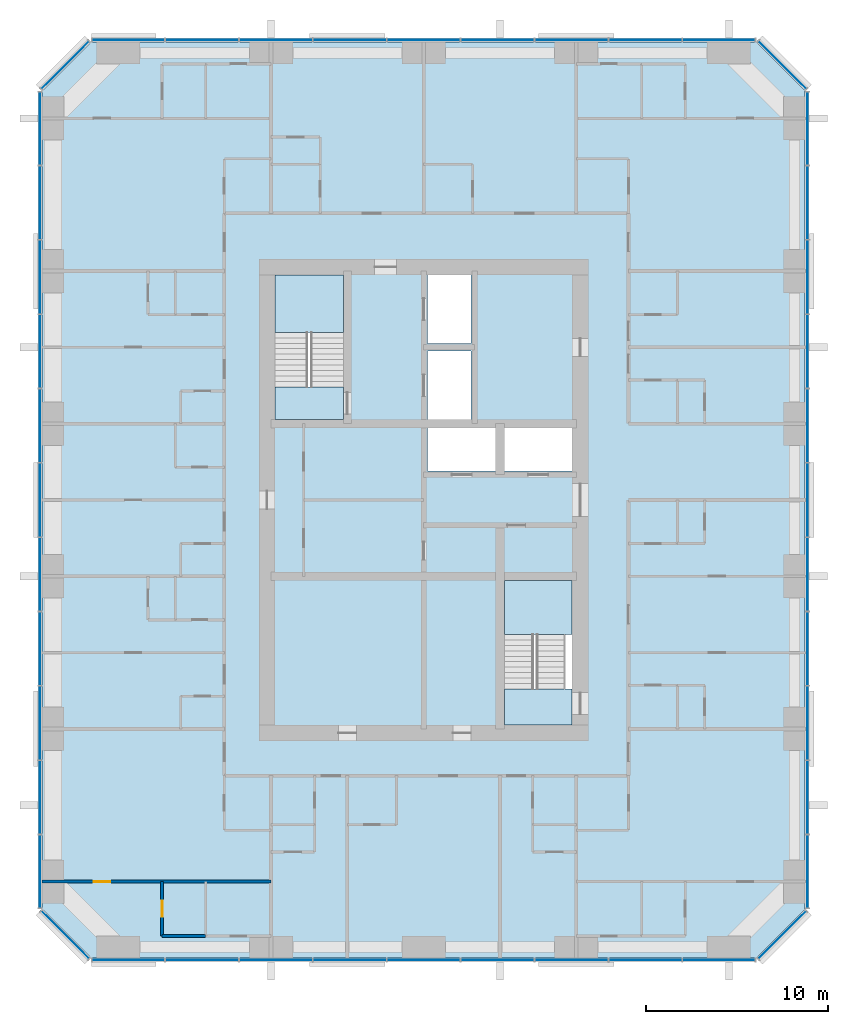
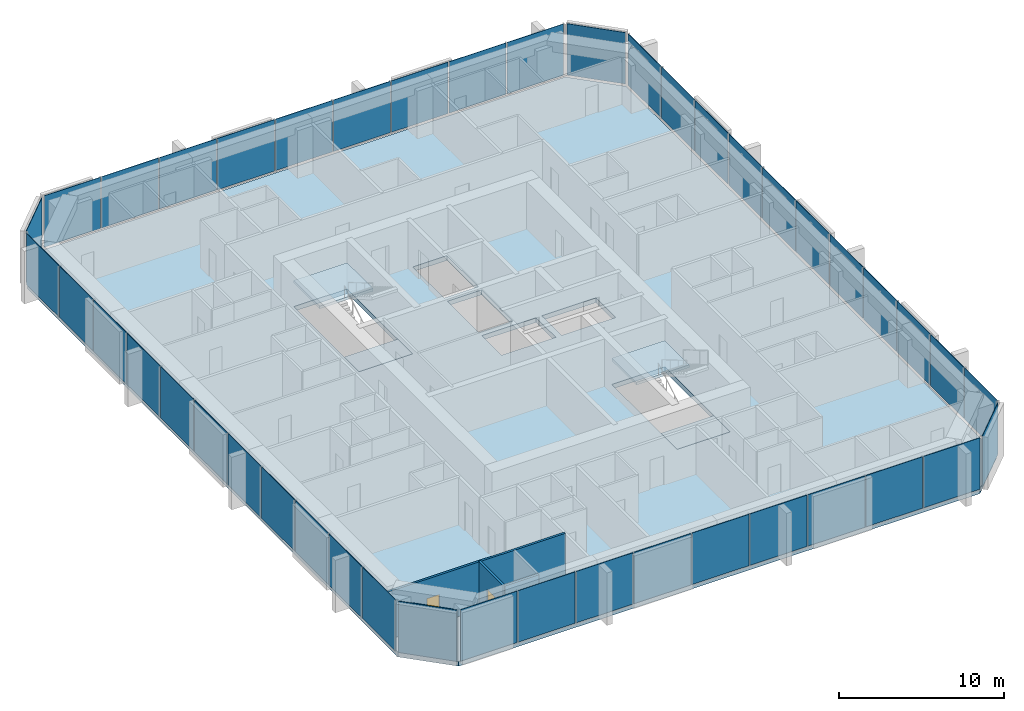
# One storey, part 6 of 12: 44 plates, 5 slabs, 3 walls, 2 doors, 2 openings, 10 elements without a shape of their own.
"""IFC4 building model written with IfcOpenShell, lengths in metres."""

from ifc_helpers import new_model, si_unit, direction, frame, frame_2d, origin, origin_2d, place, context, subcontext, project, spatial, polyline, rectangle, outline, extrude, material, layer, layer_set, type_object, element, fill, aggregate, save


model = new_model("IFC4")

# Units and contexts
model_context = context("Model", 3, precision=1e-05, world=origin(), true_north=direction((0.0, 1.0)))
body_context = subcontext(model_context, "Body", "Model", "MODEL_VIEW")
ifc_project = project(units=[si_unit("LENGTHUNIT", "METRE"), si_unit("AREAUNIT", "SQUARE_METRE"), si_unit("VOLUMEUNIT", "CUBIC_METRE"), si_unit("PLANEANGLEUNIT", "RADIAN"), si_unit("MASSUNIT", "GRAM", prefix="KILO")], contexts=[model_context])

# Site, building, storey
site_placement = place(None, origin())
site = spatial("IfcSite", under=ifc_project, at=site_placement, CompositionType="ELEMENT")
building_placement = place(site_placement, origin())
building = spatial("IfcBuilding", under=site, at=building_placement, Name="Dunama Terrace Hotel", CompositionType="ELEMENT")
storey_placement = place(building_placement, frame((0.0, 0.0, 233.39990234375)))
storey = spatial("IfcBuildingStorey", under=building, at=storey_placement, Name="L60", CompositionType="ELEMENT", Elevation=233.39990234375)

# Curtain wall, plates
ifc_material_1 = material(Name="Aluminium curtain wall system", Category="aluminium")
curtain_wall_type = type_object("IfcCurtainWallType", Name="Unitised fritted glass wall CW-D", PredefinedType="NOTDEFINED", material=ifc_material_1)
curtain_wall_1_placement = place(storey_placement, origin())
curtain_wall_1 = element("IfcCurtainWall", 1, at=curtain_wall_1_placement, inside=storey, type_object=curtain_wall_type, Name="Unitised fritted glass wall CW-D L60", PredefinedType="NOTDEFINED")
ifc_material_2 = material(Name="Laminated glass", Category="glass")
ifc_layer_1 = layer(ifc_material_2, 0.035888671875)
ifc_layer_set_1 = layer_set([ifc_layer_1], Name="CWD clear glass panel")
plate_type_1 = type_object("IfcPlateType", Name="CWD clear glass panel", PredefinedType="CURTAIN_PANEL", material=ifc_layer_set_1)
plate_1_placement = place(storey_placement, frame((21.39990234375, 4.080078125, 0.085205078125), z_axis=(0.0, 0.0, 1.0), x_axis=(1.0, 0.0, 0.0)))
plate_1 = element("IfcPlate", 2, at=plate_1_placement, type_object=plate_type_1, Name="CWD clear glass panel", PredefinedType="CURTAIN_PANEL", context=body_context, shape_type="SweptSolid", body=[
    extrude(rectangle(XDim=3.99658203125, YDim=0.035888671875, at=origin_2d()), origin(), (0.0, 0.0, 1.0), 3.81494140625),
])
plate_2_placement = place(storey_placement, frame((33.60009765625, 4.080078125, 0.085205078125), z_axis=(0.0, 0.0, 1.0), x_axis=(1.0, 0.0, 0.0)))
plate_2 = element("IfcPlate", 3, at=plate_2_placement, type_object=plate_type_1, Name="CWD clear glass panel", PredefinedType="CURTAIN_PANEL", context=body_context, shape_type="SweptSolid", body=[
    extrude(rectangle(XDim=3.99658203125, YDim=0.035888671875, at=origin_2d()), origin(), (0.0, 0.0, 1.0), 3.81494140625),
])
plate_3_placement = place(storey_placement, frame((45.800048828125, 4.080078125, 0.085205078125), z_axis=(0.0, 0.0, 1.0), x_axis=(1.0, 0.0, 0.0)))
plate_3 = element("IfcPlate", 4, at=plate_3_placement, type_object=plate_type_1, Name="CWD clear glass panel", PredefinedType="CURTAIN_PANEL", context=body_context, shape_type="SweptSolid", body=[
    extrude(rectangle(XDim=3.99658203125, YDim=0.035888671875, at=origin_2d()), origin(), (0.0, 0.0, 1.0), 3.81494140625),
])

curtain_wall_2_placement = place(storey_placement, origin())
curtain_wall_2 = element("IfcCurtainWall", 5, at=curtain_wall_2_placement, inside=storey, type_object=curtain_wall_type, Name="Unitised fritted glass wall CW-D L60", PredefinedType="NOTDEFINED")
plate_4_placement = place(storey_placement, frame((54.719970703125, 8.962890625, 0.085205078125), z_axis=(0.0, 0.0, 1.0), x_axis=(0.0, 1.0, 0.0)))
plate_4 = element("IfcPlate", 6, at=plate_4_placement, type_object=plate_type_1, Name="CWD clear glass panel", PredefinedType="CURTAIN_PANEL", context=body_context, shape_type="SweptSolid", body=[
    extrude(rectangle(XDim=3.98583984375, YDim=0.035888671875, at=origin_2d()), origin(), (0.0, 0.0, 1.0), 3.81494140625),
])
plate_5_placement = place(storey_placement, frame((54.719970703125, 21.218017578125, 0.085205078125), z_axis=(0.0, 0.0, 1.0), x_axis=(0.0, 1.0, 0.0)))
plate_5 = element("IfcPlate", 7, at=plate_5_placement, type_object=plate_type_1, Name="CWD clear glass panel", PredefinedType="CURTAIN_PANEL", context=body_context, shape_type="SweptSolid", body=[
    extrude(rectangle(XDim=4.02099609375, YDim=0.035888671875, at=origin_2d()), origin(), (0.0, 0.0, 1.0), 3.81494140625),
])
plate_6_placement = place(storey_placement, frame((54.719970703125, 33.490966796875, 0.085205078125), z_axis=(0.0, 0.0, 1.0), x_axis=(0.0, 1.0, 0.0)))
plate_6 = element("IfcPlate", 8, at=plate_6_placement, type_object=plate_type_1, Name="CWD clear glass panel", PredefinedType="CURTAIN_PANEL", context=body_context, shape_type="SweptSolid", body=[
    extrude(rectangle(XDim=4.02099609375, YDim=0.035888671875, at=origin_2d()), origin(), (0.0, 0.0, 1.0), 3.81494140625),
])
plate_7_placement = place(storey_placement, frame((54.719970703125, 45.763916015625, 0.085205078125), z_axis=(0.0, 0.0, 1.0), x_axis=(0.0, 1.0, 0.0)))
plate_7 = element("IfcPlate", 9, at=plate_7_placement, type_object=plate_type_1, Name="CWD clear glass panel", PredefinedType="CURTAIN_PANEL", context=body_context, shape_type="SweptSolid", body=[
    extrude(rectangle(XDim=4.02099609375, YDim=0.035888671875, at=origin_2d()), origin(), (0.0, 0.0, 1.0), 3.81494140625),
])

curtain_wall_3_placement = place(storey_placement, origin())
curtain_wall_3 = element("IfcCurtainWall", 10, at=curtain_wall_3_placement, inside=storey, type_object=curtain_wall_type, Name="Unitised fritted glass wall CW-D L60", PredefinedType="NOTDEFINED")
plate_8_placement = place(storey_placement, frame((49.84912109375, 54.719970703125, 0.085205078125), z_axis=(0.0, 0.0, 1.0), x_axis=(-1.0, 0.0, 0.0)))
plate_8 = element("IfcPlate", 11, at=plate_8_placement, type_object=plate_type_1, Name="CWD clear glass panel", PredefinedType="CURTAIN_PANEL", context=body_context, shape_type="SweptSolid", body=[
    extrude(rectangle(XDim=3.961669921875, YDim=0.035888671875, at=origin_2d()), origin(), (0.0, 0.0, 1.0), 3.81494140625),
])
plate_9_placement = place(storey_placement, frame((37.6669921875, 54.719970703125, 0.085205078125), z_axis=(0.0, 0.0, 1.0), x_axis=(-1.0, 0.0, 0.0)))
plate_9 = element("IfcPlate", 12, at=plate_9_placement, type_object=plate_type_1, Name="CWD clear glass panel", PredefinedType="CURTAIN_PANEL", context=body_context, shape_type="SweptSolid", body=[
    extrude(rectangle(XDim=3.99658203125, YDim=0.035888671875, at=origin_2d()), origin(), (0.0, 0.0, 1.0), 3.81494140625),
])
plate_10_placement = place(storey_placement, frame((25.467041015625, 54.719970703125, 0.085205078125), z_axis=(0.0, 0.0, 1.0), x_axis=(-1.0, 0.0, 0.0)))
plate_10 = element("IfcPlate", 13, at=plate_10_placement, type_object=plate_type_1, Name="CWD clear glass panel", PredefinedType="CURTAIN_PANEL", context=body_context, shape_type="SweptSolid", body=[
    extrude(rectangle(XDim=3.99658203125, YDim=0.035888671875, at=origin_2d()), origin(), (0.0, 0.0, 1.0), 3.81494140625),
])

# Curtain wall, plate
curtain_wall_4_placement = place(storey_placement, origin())
curtain_wall_4 = element("IfcCurtainWall", 14, at=curtain_wall_4_placement, inside=storey, type_object=curtain_wall_type, Name="Unitised fritted glass wall CW-D L60", PredefinedType="NOTDEFINED")
plate_11_placement = place(storey_placement, frame((13.864990234375, 53.3349609375, 0.085205078125), z_axis=(0.0, 0.0, 1.0), x_axis=(-0.707106781187, -0.707106781187, 0.0)))
plate_11 = element("IfcPlate", 15, at=plate_11_placement, type_object=plate_type_1, Name="CWD clear glass panel", PredefinedType="CURTAIN_PANEL", context=body_context, shape_type="SweptSolid", body=[
    extrude(rectangle(XDim=3.678466796875, YDim=0.035888671875, at=origin_2d()), origin(), (0.0, 0.0, 1.0), 3.81494140625),
])
aggregate(curtain_wall_4, [plate_11])

# Curtain wall, plates
curtain_wall_5_placement = place(storey_placement, origin())
curtain_wall_5 = element("IfcCurtainWall", 16, at=curtain_wall_5_placement, inside=storey, type_object=curtain_wall_type, Name="Unitised fritted glass wall CW-D L60", PredefinedType="NOTDEFINED")
plate_12_placement = place(storey_placement, frame((12.47998046875, 41.673095703125, 0.085205078125), z_axis=(0.0, 0.0, 1.0), x_axis=(0.0, -1.0, 0.0)))
plate_12 = element("IfcPlate", 17, at=plate_12_placement, type_object=plate_type_1, Name="CWD clear glass panel", PredefinedType="CURTAIN_PANEL", context=body_context, shape_type="SweptSolid", body=[
    extrude(rectangle(XDim=4.02099609375, YDim=0.035888671875, at=origin_2d()), origin(), (0.0, 0.0, 1.0), 3.81494140625),
])
plate_13_placement = place(storey_placement, frame((12.47998046875, 29.39990234375, 0.085205078125), z_axis=(0.0, 0.0, 1.0), x_axis=(0.0, -1.0, 0.0)))
plate_13 = element("IfcPlate", 18, at=plate_13_placement, type_object=plate_type_1, Name="CWD clear glass panel", PredefinedType="CURTAIN_PANEL", context=body_context, shape_type="SweptSolid", body=[
    extrude(rectangle(XDim=4.02099609375, YDim=0.035888671875, at=origin_2d()), origin(), (0.0, 0.0, 1.0), 3.81494140625),
])
plate_14_placement = place(storey_placement, frame((12.47998046875, 17.126953125, 0.085205078125), z_axis=(0.0, 0.0, 1.0), x_axis=(0.0, -1.0, 0.0)))
plate_14 = element("IfcPlate", 19, at=plate_14_placement, type_object=plate_type_1, Name="CWD clear glass panel", PredefinedType="CURTAIN_PANEL", context=body_context, shape_type="SweptSolid", body=[
    extrude(rectangle(XDim=4.02099609375, YDim=0.035888671875, at=origin_2d()), origin(), (0.0, 0.0, 1.0), 3.81494140625),
])

# Curtain wall, plate
curtain_wall_6_placement = place(storey_placement, origin())
curtain_wall_6 = element("IfcCurtainWall", 20, at=curtain_wall_6_placement, inside=storey, type_object=curtain_wall_type, Name="Unitised fritted glass wall CW-D L60", PredefinedType="NOTDEFINED")
plate_15_placement = place(storey_placement, frame((13.864990234375, 5.465087890625, 0.085205078125), z_axis=(0.0, 0.0, 1.0), x_axis=(0.707106781187, -0.707106781187, 0.0)))
plate_15 = element("IfcPlate", 21, at=plate_15_placement, type_object=plate_type_1, Name="CWD clear glass panel", PredefinedType="CURTAIN_PANEL", context=body_context, shape_type="SweptSolid", body=[
    extrude(rectangle(XDim=3.678466796875, YDim=0.035888671875, at=origin_2d()), origin(), (0.0, 0.0, 1.0), 3.81494140625),
])
aggregate(curtain_wall_6, [plate_15])

# Plate
ifc_material_3 = material(Name="Fritted laminated glass", Category="glass")
ifc_layer_2 = layer(ifc_material_3, 0.035888671875)
ifc_layer_set_2 = layer_set([ifc_layer_2], Name="CWD fritted glass panel")
plate_type_2 = type_object("IfcPlateType", Name="CWD fritted glass panel", PredefinedType="CURTAIN_PANEL", material=ifc_layer_set_2)
plate_16_placement = place(storey_placement, frame((17.35107421875, 4.080078125, 0.085205078125), z_axis=(0.0, 0.0, 1.0), x_axis=(1.0, 0.0, 0.0)))
plate_16 = element("IfcPlate", 22, at=plate_16_placement, type_object=plate_type_2, Name="CWD fritted glass panel", PredefinedType="CURTAIN_PANEL", context=body_context, shape_type="SweptSolid", body=[
    extrude(rectangle(XDim=3.961669921875, YDim=0.035888671875, at=origin_2d()), origin(), (0.0, 0.0, 1.0), 3.81494140625),
])

plate_17_placement = place(storey_placement, frame((29.532958984375, 4.080078125, 0.085205078125), z_axis=(0.0, 0.0, 1.0), x_axis=(1.0, 0.0, 0.0)))
plate_17 = element("IfcPlate", 23, at=plate_17_placement, type_object=plate_type_2, Name="CWD fritted glass panel", PredefinedType="CURTAIN_PANEL", context=body_context, shape_type="SweptSolid", body=[
    extrude(rectangle(XDim=3.99658203125, YDim=0.035888671875, at=origin_2d()), origin(), (0.0, 0.0, 1.0), 3.81494140625),
])

plate_18_placement = place(storey_placement, frame((41.73291015625, 4.080078125, 0.085205078125), z_axis=(0.0, 0.0, 1.0), x_axis=(1.0, 0.0, 0.0)))
plate_18 = element("IfcPlate", 24, at=plate_18_placement, type_object=plate_type_2, Name="CWD fritted glass panel", PredefinedType="CURTAIN_PANEL", context=body_context, shape_type="SweptSolid", body=[
    extrude(rectangle(XDim=3.99658203125, YDim=0.035888671875, at=origin_2d()), origin(), (0.0, 0.0, 1.0), 3.81494140625),
])

# Curtain wall, plate
curtain_wall_7_placement = place(storey_placement, origin())
curtain_wall_7 = element("IfcCurtainWall", 25, at=curtain_wall_7_placement, inside=storey, type_object=curtain_wall_type, Name="Unitised fritted glass wall CW-D L60", PredefinedType="NOTDEFINED")
plate_19_placement = place(storey_placement, frame((53.3349609375, 5.465087890625, 0.085205078125), z_axis=(0.0, 0.0, 1.0), x_axis=(0.707106781187, 0.707106781187, 0.0)))
plate_19 = element("IfcPlate", 26, at=plate_19_placement, type_object=plate_type_2, Name="CWD fritted glass panel", PredefinedType="CURTAIN_PANEL", context=body_context, shape_type="SweptSolid", body=[
    extrude(rectangle(XDim=3.678466796875, YDim=0.035888671875, at=origin_2d()), origin(), (0.0, 0.0, 1.0), 3.81494140625),
])
aggregate(curtain_wall_7, [plate_19])

# Plate
plate_20_placement = place(storey_placement, frame((54.719970703125, 17.126953125, 0.085205078125), z_axis=(0.0, 0.0, 1.0), x_axis=(0.0, 1.0, 0.0)))
plate_20 = element("IfcPlate", 27, at=plate_20_placement, type_object=plate_type_2, Name="CWD fritted glass panel", PredefinedType="CURTAIN_PANEL", context=body_context, shape_type="SweptSolid", body=[
    extrude(rectangle(XDim=4.02099609375, YDim=0.035888671875, at=origin_2d()), origin(), (0.0, 0.0, 1.0), 3.81494140625),
])

plate_21_placement = place(storey_placement, frame((54.719970703125, 29.39990234375, 0.085205078125), z_axis=(0.0, 0.0, 1.0), x_axis=(0.0, 1.0, 0.0)))
plate_21 = element("IfcPlate", 28, at=plate_21_placement, type_object=plate_type_2, Name="CWD fritted glass panel", PredefinedType="CURTAIN_PANEL", context=body_context, shape_type="SweptSolid", body=[
    extrude(rectangle(XDim=4.02099609375, YDim=0.035888671875, at=origin_2d()), origin(), (0.0, 0.0, 1.0), 3.81494140625),
])

plate_22_placement = place(storey_placement, frame((54.719970703125, 41.673095703125, 0.085205078125), z_axis=(0.0, 0.0, 1.0), x_axis=(0.0, 1.0, 0.0)))
plate_22 = element("IfcPlate", 29, at=plate_22_placement, type_object=plate_type_2, Name="CWD fritted glass panel", PredefinedType="CURTAIN_PANEL", context=body_context, shape_type="SweptSolid", body=[
    extrude(rectangle(XDim=4.02099609375, YDim=0.035888671875, at=origin_2d()), origin(), (0.0, 0.0, 1.0), 3.81494140625),
])

# Curtain wall, plate
curtain_wall_8_placement = place(storey_placement, origin())
curtain_wall_8 = element("IfcCurtainWall", 30, at=curtain_wall_8_placement, inside=storey, type_object=curtain_wall_type, Name="Unitised fritted glass wall CW-D L60", PredefinedType="NOTDEFINED")
plate_23_placement = place(storey_placement, frame((53.3349609375, 53.3349609375, 0.085205078125), z_axis=(0.0, 0.0, 1.0), x_axis=(-0.707106781187, 0.707106781187, 0.0)))
plate_23 = element("IfcPlate", 31, at=plate_23_placement, type_object=plate_type_2, Name="CWD fritted glass panel", PredefinedType="CURTAIN_PANEL", context=body_context, shape_type="SweptSolid", body=[
    extrude(rectangle(XDim=3.678466796875, YDim=0.035888671875, at=origin_2d()), origin(), (0.0, 0.0, 1.0), 3.81494140625),
])
aggregate(curtain_wall_8, [plate_23])

# Plate
plate_24_placement = place(storey_placement, frame((41.73291015625, 54.719970703125, 0.085205078125), z_axis=(0.0, 0.0, 1.0), x_axis=(-1.0, 0.0, 0.0)))
plate_24 = element("IfcPlate", 32, at=plate_24_placement, type_object=plate_type_2, Name="CWD fritted glass panel", PredefinedType="CURTAIN_PANEL", context=body_context, shape_type="SweptSolid", body=[
    extrude(rectangle(XDim=3.99658203125, YDim=0.035888671875, at=origin_2d()), origin(), (0.0, 0.0, 1.0), 3.81494140625),
])

plate_25_placement = place(storey_placement, frame((29.532958984375, 54.719970703125, 0.085205078125), z_axis=(0.0, 0.0, 1.0), x_axis=(-1.0, 0.0, 0.0)))
plate_25 = element("IfcPlate", 33, at=plate_25_placement, type_object=plate_type_2, Name="CWD fritted glass panel", PredefinedType="CURTAIN_PANEL", context=body_context, shape_type="SweptSolid", body=[
    extrude(rectangle(XDim=3.99658203125, YDim=0.035888671875, at=origin_2d()), origin(), (0.0, 0.0, 1.0), 3.81494140625),
])

plate_26_placement = place(storey_placement, frame((17.35107421875, 54.719970703125, 0.085205078125), z_axis=(0.0, 0.0, 1.0), x_axis=(-1.0, 0.0, 0.0)))
plate_26 = element("IfcPlate", 34, at=plate_26_placement, type_object=plate_type_2, Name="CWD fritted glass panel", PredefinedType="CURTAIN_PANEL", context=body_context, shape_type="SweptSolid", body=[
    extrude(rectangle(XDim=3.961669921875, YDim=0.035888671875, at=origin_2d()), origin(), (0.0, 0.0, 1.0), 3.81494140625),
])

plate_27_placement = place(storey_placement, frame((12.47998046875, 45.763916015625, 0.085205078125), z_axis=(0.0, 0.0, 1.0), x_axis=(0.0, -1.0, 0.0)))
plate_27 = element("IfcPlate", 35, at=plate_27_placement, type_object=plate_type_2, Name="CWD fritted glass panel", PredefinedType="CURTAIN_PANEL", context=body_context, shape_type="SweptSolid", body=[
    extrude(rectangle(XDim=4.02099609375, YDim=0.035888671875, at=origin_2d()), origin(), (0.0, 0.0, 1.0), 3.81494140625),
])

plate_28_placement = place(storey_placement, frame((12.47998046875, 33.490966796875, 0.085205078125), z_axis=(0.0, 0.0, 1.0), x_axis=(0.0, -1.0, 0.0)))
plate_28 = element("IfcPlate", 36, at=plate_28_placement, type_object=plate_type_2, Name="CWD fritted glass panel", PredefinedType="CURTAIN_PANEL", context=body_context, shape_type="SweptSolid", body=[
    extrude(rectangle(XDim=4.02099609375, YDim=0.035888671875, at=origin_2d()), origin(), (0.0, 0.0, 1.0), 3.81494140625),
])

plate_29_placement = place(storey_placement, frame((12.47998046875, 21.218017578125, 0.085205078125), z_axis=(0.0, 0.0, 1.0), x_axis=(0.0, -1.0, 0.0)))
plate_29 = element("IfcPlate", 37, at=plate_29_placement, type_object=plate_type_2, Name="CWD fritted glass panel", PredefinedType="CURTAIN_PANEL", context=body_context, shape_type="SweptSolid", body=[
    extrude(rectangle(XDim=4.02099609375, YDim=0.035888671875, at=origin_2d()), origin(), (0.0, 0.0, 1.0), 3.81494140625),
])

plate_30_placement = place(storey_placement, frame((12.47998046875, 8.962890625, 0.085205078125), z_axis=(0.0, 0.0, 1.0), x_axis=(0.0, -1.0, 0.0)))
plate_30 = element("IfcPlate", 38, at=plate_30_placement, type_object=plate_type_2, Name="CWD fritted glass panel", PredefinedType="CURTAIN_PANEL", context=body_context, shape_type="SweptSolid", body=[
    extrude(rectangle(XDim=3.98583984375, YDim=0.035888671875, at=origin_2d()), origin(), (0.0, 0.0, 1.0), 3.81494140625),
])

ifc_material_4 = material(Name="Laminated glass", Category="glass")
ifc_layer_3 = layer(ifc_material_4, 0.035888671875)
ifc_layer_set_3 = layer_set([ifc_layer_3], Name="CWD operable glass panel")
plate_type_3 = type_object("IfcPlateType", Name="CWD operable glass panel", PredefinedType="CURTAIN_PANEL", material=ifc_layer_set_3)
plate_31_placement = place(storey_placement, frame((25.467041015625, 4.080078125, 0.085205078125), z_axis=(0.0, 0.0, 1.0), x_axis=(1.0, 0.0, 0.0)))
plate_31 = element("IfcPlate", 39, at=plate_31_placement, type_object=plate_type_3, Name="CWD operable glass panel", PredefinedType="CURTAIN_PANEL", context=body_context, shape_type="SweptSolid", body=[
    extrude(rectangle(XDim=3.99658203125, YDim=0.035888671875, at=origin_2d()), origin(), (0.0, 0.0, 1.0), 3.81494140625),
])

plate_32_placement = place(storey_placement, frame((37.6669921875, 4.080078125, 0.085205078125), z_axis=(0.0, 0.0, 1.0), x_axis=(1.0, 0.0, 0.0)))
plate_32 = element("IfcPlate", 40, at=plate_32_placement, type_object=plate_type_3, Name="CWD operable glass panel", PredefinedType="CURTAIN_PANEL", context=body_context, shape_type="SweptSolid", body=[
    extrude(rectangle(XDim=3.99658203125, YDim=0.035888671875, at=origin_2d()), origin(), (0.0, 0.0, 1.0), 3.81494140625),
])

plate_33_placement = place(storey_placement, frame((49.84912109375, 4.080078125, 0.085205078125), z_axis=(0.0, 0.0, 1.0), x_axis=(1.0, 0.0, 0.0)))
plate_33 = element("IfcPlate", 41, at=plate_33_placement, type_object=plate_type_3, Name="CWD operable glass panel", PredefinedType="CURTAIN_PANEL", context=body_context, shape_type="SweptSolid", body=[
    extrude(rectangle(XDim=3.961669921875, YDim=0.035888671875, at=origin_2d()), origin(), (0.0, 0.0, 1.0), 3.81494140625),
])

aggregate(curtain_wall_1, [plate_16, plate_1, plate_31, plate_17, plate_2, plate_32, plate_18, plate_3, plate_33])

plate_34_placement = place(storey_placement, frame((54.719970703125, 13.035888671875, 0.085205078125), z_axis=(0.0, 0.0, 1.0), x_axis=(0.0, 1.0, 0.0)))
plate_34 = element("IfcPlate", 42, at=plate_34_placement, type_object=plate_type_3, Name="CWD operable glass panel", PredefinedType="CURTAIN_PANEL", context=body_context, shape_type="SweptSolid", body=[
    extrude(rectangle(XDim=4.02099609375, YDim=0.035888671875, at=origin_2d()), origin(), (0.0, 0.0, 1.0), 3.81494140625),
])

plate_35_placement = place(storey_placement, frame((54.719970703125, 25.30908203125, 0.085205078125), z_axis=(0.0, 0.0, 1.0), x_axis=(0.0, 1.0, 0.0)))
plate_35 = element("IfcPlate", 43, at=plate_35_placement, type_object=plate_type_3, Name="CWD operable glass panel", PredefinedType="CURTAIN_PANEL", context=body_context, shape_type="SweptSolid", body=[
    extrude(rectangle(XDim=4.02099609375, YDim=0.035888671875, at=origin_2d()), origin(), (0.0, 0.0, 1.0), 3.81494140625),
])

plate_36_placement = place(storey_placement, frame((54.719970703125, 37.58203125, 0.085205078125), z_axis=(0.0, 0.0, 1.0), x_axis=(0.0, 1.0, 0.0)))
plate_36 = element("IfcPlate", 44, at=plate_36_placement, type_object=plate_type_3, Name="CWD operable glass panel", PredefinedType="CURTAIN_PANEL", context=body_context, shape_type="SweptSolid", body=[
    extrude(rectangle(XDim=4.02099609375, YDim=0.035888671875, at=origin_2d()), origin(), (0.0, 0.0, 1.0), 3.81494140625),
])

plate_37_placement = place(storey_placement, frame((54.719970703125, 49.8369140625, 0.085205078125), z_axis=(0.0, 0.0, 1.0), x_axis=(0.0, 1.0, 0.0)))
plate_37 = element("IfcPlate", 45, at=plate_37_placement, type_object=plate_type_3, Name="CWD operable glass panel", PredefinedType="CURTAIN_PANEL", context=body_context, shape_type="SweptSolid", body=[
    extrude(rectangle(XDim=3.98583984375, YDim=0.035888671875, at=origin_2d()), origin(), (0.0, 0.0, 1.0), 3.81494140625),
])

aggregate(curtain_wall_2, [plate_4, plate_34, plate_20, plate_5, plate_35, plate_21, plate_6, plate_36, plate_22, plate_7, plate_37])

plate_38_placement = place(storey_placement, frame((45.800048828125, 54.719970703125, 0.085205078125), z_axis=(0.0, 0.0, 1.0), x_axis=(-1.0, 0.0, 0.0)))
plate_38 = element("IfcPlate", 46, at=plate_38_placement, type_object=plate_type_3, Name="CWD operable glass panel", PredefinedType="CURTAIN_PANEL", context=body_context, shape_type="SweptSolid", body=[
    extrude(rectangle(XDim=3.99658203125, YDim=0.035888671875, at=origin_2d()), origin(), (0.0, 0.0, 1.0), 3.81494140625),
])

plate_39_placement = place(storey_placement, frame((33.60009765625, 54.719970703125, 0.085205078125), z_axis=(0.0, 0.0, 1.0), x_axis=(-1.0, 0.0, 0.0)))
plate_39 = element("IfcPlate", 47, at=plate_39_placement, type_object=plate_type_3, Name="CWD operable glass panel", PredefinedType="CURTAIN_PANEL", context=body_context, shape_type="SweptSolid", body=[
    extrude(rectangle(XDim=3.99658203125, YDim=0.035888671875, at=origin_2d()), origin(), (0.0, 0.0, 1.0), 3.81494140625),
])

plate_40_placement = place(storey_placement, frame((21.39990234375, 54.719970703125, 0.085205078125), z_axis=(0.0, 0.0, 1.0), x_axis=(-1.0, 0.0, 0.0)))
plate_40 = element("IfcPlate", 48, at=plate_40_placement, type_object=plate_type_3, Name="CWD operable glass panel", PredefinedType="CURTAIN_PANEL", context=body_context, shape_type="SweptSolid", body=[
    extrude(rectangle(XDim=3.99658203125, YDim=0.035888671875, at=origin_2d()), origin(), (0.0, 0.0, 1.0), 3.81494140625),
])

aggregate(curtain_wall_3, [plate_8, plate_38, plate_24, plate_9, plate_39, plate_25, plate_10, plate_40, plate_26])

plate_41_placement = place(storey_placement, frame((12.47998046875, 49.8369140625, 0.085205078125), z_axis=(0.0, 0.0, 1.0), x_axis=(0.0, -1.0, 0.0)))
plate_41 = element("IfcPlate", 49, at=plate_41_placement, type_object=plate_type_3, Name="CWD operable glass panel", PredefinedType="CURTAIN_PANEL", context=body_context, shape_type="SweptSolid", body=[
    extrude(rectangle(XDim=3.98583984375, YDim=0.035888671875, at=origin_2d()), origin(), (0.0, 0.0, 1.0), 3.81494140625),
])

plate_42_placement = place(storey_placement, frame((12.47998046875, 37.58203125, 0.085205078125), z_axis=(0.0, 0.0, 1.0), x_axis=(0.0, -1.0, 0.0)))
plate_42 = element("IfcPlate", 50, at=plate_42_placement, type_object=plate_type_3, Name="CWD operable glass panel", PredefinedType="CURTAIN_PANEL", context=body_context, shape_type="SweptSolid", body=[
    extrude(rectangle(XDim=4.02099609375, YDim=0.035888671875, at=origin_2d()), origin(), (0.0, 0.0, 1.0), 3.81494140625),
])

plate_43_placement = place(storey_placement, frame((12.47998046875, 25.30908203125, 0.085205078125), z_axis=(0.0, 0.0, 1.0), x_axis=(0.0, -1.0, 0.0)))
plate_43 = element("IfcPlate", 51, at=plate_43_placement, type_object=plate_type_3, Name="CWD operable glass panel", PredefinedType="CURTAIN_PANEL", context=body_context, shape_type="SweptSolid", body=[
    extrude(rectangle(XDim=4.02099609375, YDim=0.035888671875, at=origin_2d()), origin(), (0.0, 0.0, 1.0), 3.81494140625),
])

plate_44_placement = place(storey_placement, frame((12.47998046875, 13.035888671875, 0.085205078125), z_axis=(0.0, 0.0, 1.0), x_axis=(0.0, -1.0, 0.0)))
plate_44 = element("IfcPlate", 52, at=plate_44_placement, type_object=plate_type_3, Name="CWD operable glass panel", PredefinedType="CURTAIN_PANEL", context=body_context, shape_type="SweptSolid", body=[
    extrude(rectangle(XDim=4.02099609375, YDim=0.035888671875, at=origin_2d()), origin(), (0.0, 0.0, 1.0), 3.81494140625),
])

aggregate(curtain_wall_5, [plate_41, plate_27, plate_12, plate_42, plate_28, plate_13, plate_43, plate_29, plate_14, plate_44, plate_30])

# Slab
ifc_material_5 = material(Name="Concrete C40/50", Category="concrete")
ifc_layer_4 = layer(ifc_material_5, 0.35009765625)
ifc_layer_set_4 = layer_set([ifc_layer_4], Name="Flat plate 350")
slab_type_1 = type_object("IfcSlabType", Name="Flat plate 350", PredefinedType="FLOOR", material=ifc_layer_set_4)
slab_1_placement = place(storey_placement, frame((0.0, 0.0, -0.349853515625)))
element("IfcSlab", 53, at=slab_1_placement, inside=storey, type_object=slab_type_1, Name="Floor slab L60", PredefinedType="FLOOR", context=body_context, shape_type="SweptSolid", body=[
    extrude(outline(polyline([(15.300048828125, 4.199951171875), (51.89990234375, 4.199951171875), (54.60009765625, 6.89990234375), (54.60009765625, 51.89990234375), (51.89990234375, 54.60009765625), (15.300048828125, 54.60009765625), (12.60009765625, 51.89990234375), (12.60009765625, 6.89990234375), (15.300048828125, 4.199951171875)]), holes=[polyline([(37.60009765625, 31.0), (37.60009765625, 33.39990234375), (33.800048828125, 33.39990234375), (33.800048828125, 31.0), (37.60009765625, 31.0)]), polyline([(41.800048828125, 31.0), (41.800048828125, 33.39990234375), (38.0, 33.39990234375), (38.0, 31.0), (41.800048828125, 31.0)]), polyline([(36.199951171875, 38.0), (36.199951171875, 41.800048828125), (33.800048828125, 41.800048828125), (33.800048828125, 38.0), (36.199951171875, 38.0)]), polyline([(36.199951171875, 33.800048828125), (36.199951171875, 37.60009765625), (33.800048828125, 37.60009765625), (33.800048828125, 33.800048828125), (36.199951171875, 33.800048828125)]), polyline([(29.175048828125, 33.824951171875), (29.175048828125, 41.77490234375), (25.425048828125, 41.77490234375), (25.425048828125, 33.824951171875), (29.175048828125, 33.824951171875)]), polyline([(41.77490234375, 17.02490234375), (41.77490234375, 24.97509765625), (38.050048828125, 24.97509765625), (38.050048828125, 17.02490234375), (41.77490234375, 17.02490234375)])]), origin(), (0.0, 0.0, 1.0), 0.349853515625),
])

# Stair, slabs
ifc_material_6 = material(Name="Concrete C40/50", Category="concrete")
stair_type_1 = type_object("IfcStairType", Name="Stair ST1-3900-1800", PredefinedType="HALF_TURN_STAIR", material=ifc_material_6)
stair_1_placement = place(storey_placement, origin())
stair_1 = element("IfcStair", 54, at=stair_1_placement, inside=storey, type_object=stair_type_1, Name="Stair ST1 L60", PredefinedType="HALF_TURN_STAIR")
ifc_material_7 = material(Name="Concrete C40/50", Category="concrete")
ifc_layer_5 = layer(ifc_material_7, 0.199951171875)
ifc_layer_set_5 = layer_set([ifc_layer_5], Name="Stair landing 200")
slab_type_2 = type_object("IfcSlabType", Name="Stair landing 200", PredefinedType="LANDING", material=ifc_layer_set_5)
slab_2_placement = place(storey_placement, frame((0.0, 0.0, -0.199951171875)))
slab_2 = element("IfcSlab", 55, at=slab_2_placement, type_object=slab_type_2, Name="ST1 landing 1, type S10", PredefinedType="LANDING", context=body_context, shape_type="SweptSolid", body=[
    extrude(outline(polyline([(25.425048828125, 33.824951171875), (29.175048828125, 33.824951171875), (29.175048828125, 35.625), (25.425048828125, 35.625), (25.425048828125, 33.824951171875)])), origin(), (0.0, 0.0, 1.0), 0.199951171875),
])
slab_3_placement = place(storey_placement, frame((0.0, 0.0, 1.75)))
slab_3 = element("IfcSlab", 56, at=slab_3_placement, type_object=slab_type_2, Name="ST1 landing 2, type S10", PredefinedType="LANDING", context=body_context, shape_type="SweptSolid", body=[
    extrude(outline(polyline([(25.425048828125, 38.625), (29.175048828125, 38.625), (29.175048828125, 41.77490234375), (25.425048828125, 41.77490234375), (25.425048828125, 38.625)])), origin(), (0.0, 0.0, 1.0), 0.2001953125),
])
aggregate(stair_1, [slab_2, slab_3])

ifc_material_8 = material(Name="Concrete C40/50", Category="concrete")
stair_type_2 = type_object("IfcStairType", Name="Stair ST2-3900-1600", PredefinedType="HALF_TURN_STAIR", material=ifc_material_8)
stair_2_placement = place(storey_placement, origin())
stair_2 = element("IfcStair", 57, at=stair_2_placement, inside=storey, type_object=stair_type_2, Name="Stair ST2 L60", PredefinedType="HALF_TURN_STAIR")
slab_4_placement = place(storey_placement, frame((0.0, 0.0, -0.199951171875)))
slab_4 = element("IfcSlab", 58, at=slab_4_placement, type_object=slab_type_2, Name="ST2 landing 1, type S10", PredefinedType="LANDING", context=body_context, shape_type="SweptSolid", body=[
    extrude(outline(polyline([(38.050048828125, 17.02490234375), (41.77490234375, 17.02490234375), (41.77490234375, 19.0), (38.050048828125, 19.0), (38.050048828125, 17.02490234375)])), origin(), (0.0, 0.0, 1.0), 0.199951171875),
])
slab_5_placement = place(storey_placement, frame((0.0, 0.0, 1.75)))
slab_5 = element("IfcSlab", 59, at=slab_5_placement, type_object=slab_type_2, Name="ST2 landing 2, type S10", PredefinedType="LANDING", context=body_context, shape_type="SweptSolid", body=[
    extrude(outline(polyline([(38.050048828125, 22.0), (41.77490234375, 22.0), (41.77490234375, 24.97509765625), (38.050048828125, 24.97509765625), (38.050048828125, 22.0)])), origin(), (0.0, 0.0, 1.0), 0.2001953125),
])
aggregate(stair_2, [slab_4, slab_5])

# Wall, opening, door
ifc_material_9 = material(Name="Gypsum board partition", Category="masonry")
ifc_layer_6 = layer(ifc_material_9, 0.14990234375)
ifc_layer_set_6 = layer_set([ifc_layer_6], Name="Room partition 150")
wall_type = type_object("IfcWallType", Name="Room partition 150", PredefinedType="PARTITIONING", material=ifc_layer_set_6)
wall_1_placement = place(storey_placement, frame((19.199951171875, 5.39990234375, 0.0), z_axis=(0.0, 0.0, 1.0), x_axis=(0.0, 1.0, 0.0)))
wall_1 = element("IfcWall", 60, at=wall_1_placement, inside=storey, type_object=wall_type, Name="Room partition 150 L60", PredefinedType="PARTITIONING", context=body_context, shape_type="SweptSolid", body=[
    extrude(rectangle(XDim=3.0, YDim=0.14990234375, at=frame_2d((1.5, 0.0))), origin(), (0.0, 0.0, 1.0), 3.550048828125),
])
opening_1_placement = place(wall_1_placement, frame((1.050048828125, 0.0, 0.0)))
opening_1 = element("IfcOpeningElement", 61, at=opening_1_placement, cuts=wall_1, Name="Opening L60-050", PredefinedType="OPENING", context=body_context, shape_type="SweptSolid", body=[
    extrude(rectangle(XDim=0.89990234375, YDim=2.10009765625, at=frame_2d((0.449951171875, 1.050048828125))), frame((0.0, 0.0849609375, 0.0), z_axis=(0.0, -1.0, 0.0), x_axis=(1.0, 0.0, 0.0)), (0.0, 0.0, 1.0), 0.169921875),
])
ifc_material_10 = material(Name="Timber door with steel frame", Category="steel")
door_type = type_object("IfcDoorType", Name="Suite internal door 900", OperationType="SINGLE_SWING_LEFT", PredefinedType="DOOR", material=ifc_material_10)
door_1_placement = place(opening_1_placement, frame((0.89990234375, 0.0, 0.0), z_axis=(0.0, 0.0, 1.0), x_axis=(-1.0, 0.0, 0.0)))
door_1 = element("IfcDoor", 62, at=door_1_placement, inside=storey, type_object=door_type, Name="Door to dressing room L60-050, type D16", OperationType="SINGLE_SWING_RIGHT", OverallHeight=2.10009765625, OverallWidth=0.89990234375, PredefinedType="DOOR", context=body_context, shape_type="SweptSolid", body=[
    extrude(rectangle(XDim=0.89990234375, YDim=2.10009765625, at=frame_2d((0.449951171875, 1.050048828125))), frame((0.0, 0.025146484375, 0.0), z_axis=(0.0, -1.0, 0.0), x_axis=(1.0, 0.0, 0.0)), (0.0, 0.0, 1.0), 0.050048828125),
])
fill(opening_1, door_1)

# Wall
wall_2_placement = place(storey_placement, frame((19.199951171875, 5.39990234375, 0.0), z_axis=(0.0, 0.0, 1.0), x_axis=(1.0, 0.0, 0.0)))
element("IfcWall", 63, at=wall_2_placement, inside=storey, type_object=wall_type, Name="Room partition 150 L60", PredefinedType="PARTITIONING", context=body_context, shape_type="SweptSolid", body=[
    extrude(rectangle(XDim=2.400146484375, YDim=0.14990234375, at=frame_2d((1.2001953125, 0.0))), origin(), (0.0, 0.0, 1.0), 3.550048828125),
])

# Wall, opening, door
wall_3_placement = place(storey_placement, frame((12.58203125, 8.39990234375, 0.0), z_axis=(0.0, 0.0, 1.0), x_axis=(1.0, 0.0, 0.0)))
wall_3 = element("IfcWall", 64, at=wall_3_placement, inside=storey, type_object=wall_type, Name="Room partition 150 L60", PredefinedType="PARTITIONING", context=body_context, shape_type="SweptSolid", body=[
    extrude(rectangle(XDim=12.617919921875, YDim=0.14990234375, at=frame_2d((6.30908203125, 0.0))), origin(), (0.0, 0.0, 1.0), 3.550048828125),
])
opening_2_placement = place(wall_3_placement, frame((2.867919921875, 0.0, 0.0)))
opening_2 = element("IfcOpeningElement", 65, at=opening_2_placement, cuts=wall_3, Name="Opening L60-048", PredefinedType="OPENING", context=body_context, shape_type="SweptSolid", body=[
    extrude(rectangle(XDim=0.89990234375, YDim=2.10009765625, at=frame_2d((0.449951171875, 1.050048828125))), frame((0.0, 0.0849609375, 0.0), z_axis=(0.0, -1.0, 0.0), x_axis=(1.0, 0.0, 0.0)), (0.0, 0.0, 1.0), 0.169921875),
])
door_2_placement = place(opening_2_placement, frame((0.89990234375, 0.0, 0.0), z_axis=(0.0, 0.0, 1.0), x_axis=(-1.0, 0.0, 0.0)))
door_2 = element("IfcDoor", 66, at=door_2_placement, inside=storey, type_object=door_type, Name="Door to grand corner suite bedroom L60-048, type D16", OperationType="SINGLE_SWING_RIGHT", OverallHeight=2.10009765625, OverallWidth=0.89990234375, PredefinedType="DOOR", context=body_context, shape_type="SweptSolid", body=[
    extrude(rectangle(XDim=0.89990234375, YDim=2.10009765625, at=frame_2d((0.449951171875, 1.050048828125))), frame((0.0, 0.025146484375, 0.0), z_axis=(0.0, -1.0, 0.0), x_axis=(1.0, 0.0, 0.0)), (0.0, 0.0, 1.0), 0.050048828125),
])
fill(opening_2, door_2)

save(model, "model.ifc")
